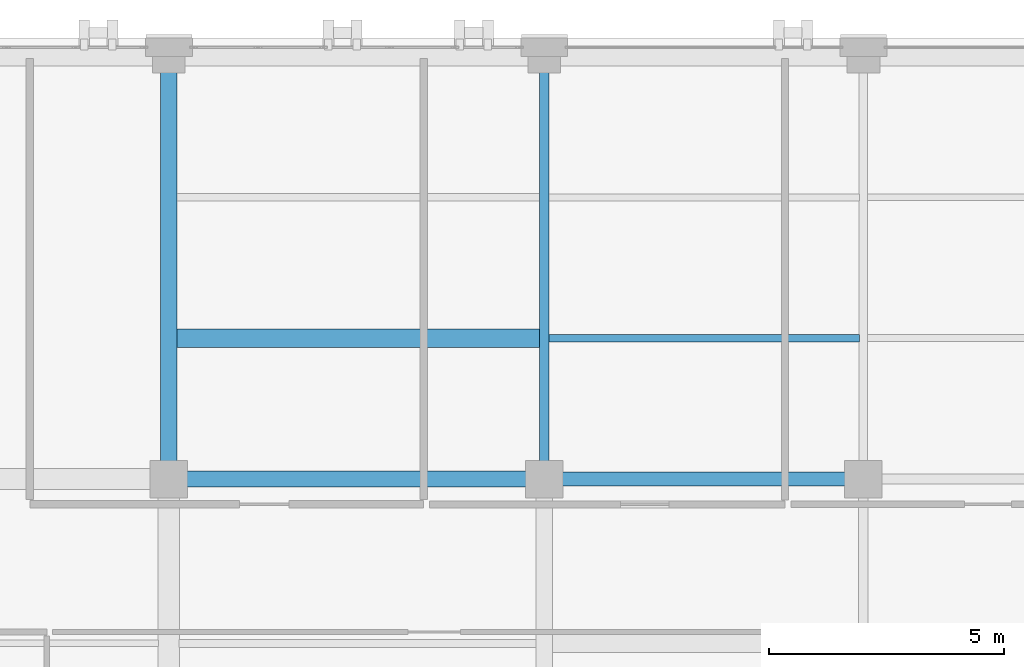
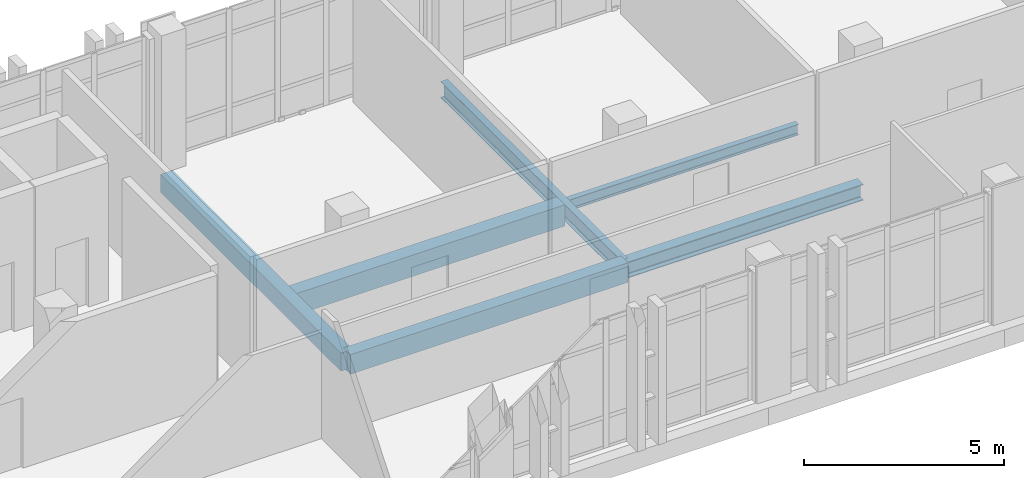
# One storey, part 91 of 158: 6 beams.
"""IFC4 building model written with IfcOpenShell, lengths in metres."""

from ifc_helpers import new_model, si_unit, direction, frame, origin, origin_2d, place, context, subcontext, project, spatial, rectangle, i_section, extrude, material, material_profile, profile_set, type_object, element, save


model = new_model("IFC4")

# Units and contexts
model_context = context("Model", 3, precision=1e-05, world=origin(), true_north=direction((0.0, 1.0)))
body_context = subcontext(model_context, "Body", "Model", "MODEL_VIEW")
ifc_project = project(units=[si_unit("LENGTHUNIT", "METRE"), si_unit("AREAUNIT", "SQUARE_METRE"), si_unit("VOLUMEUNIT", "CUBIC_METRE"), si_unit("PLANEANGLEUNIT", "RADIAN"), si_unit("MASSUNIT", "GRAM", prefix="KILO")], contexts=[model_context])

# Site, building, storey
site_placement = place(None, origin())
site = spatial("IfcSite", under=ifc_project, at=site_placement, CompositionType="ELEMENT")
building_placement = place(site_placement, origin())
building = spatial("IfcBuilding", under=site, at=building_placement, Name="Qalavern Law Courts", CompositionType="ELEMENT")
storey_placement = place(building_placement, frame((0.0, 0.0, 18.60009765625)))
storey = spatial("IfcBuildingStorey", under=building, at=storey_placement, Name="L04", CompositionType="ELEMENT", Elevation=18.60009765625)

# Beams
ifc_material_1 = material(Name="Steel S355", Category="steel")
ifc_material_profile_1 = material_profile(ifc_material_1, i_section(OverallWidth=0.300048828125, OverallDepth=0.489990234375, WebThickness=0.011962890625, FlangeThickness=0.02294921875, FilletRadius=0.027099609375, at=origin_2d()), Name="HEA 500")
ifc_profile_set_1 = profile_set([ifc_material_profile_1], Name="Steel S355")
beam_type_1 = type_object("IfcBeamType", Name="STR-BM-HEA500", PredefinedType="BEAM", material=ifc_profile_set_1)
beam_1_placement = place(storey_placement, frame((44.800048828125, 103.60009765625, -0.525146484375), z_axis=(1.0, 0.0, 0.0), x_axis=(0.0, 1.0, 0.0)))
element("IfcBeam", 1, at=beam_1_placement, inside=storey, type_object=beam_type_1, Name="V5 X-beam 2-6 L04", PredefinedType="BEAM", context=body_context, shape_type="SweptSolid", body=[
    extrude(i_section(OverallWidth=0.300048828125, OverallDepth=0.489990234375, WebThickness=0.011962890625, FlangeThickness=0.02294921875, FilletRadius=0.027099609375, at=origin_2d()), origin(), (0.0, 0.0, 1.0), 6.800048828125),
])
ifc_material_profile_2 = material_profile(ifc_material_1, i_section(OverallWidth=0.199951171875, OverallDepth=0.5, WebThickness=0.01025390625, FlangeThickness=0.01611328125, FilletRadius=0.02099609375, at=origin_2d()), Name="IPE 500")
ifc_profile_set_2 = profile_set([ifc_material_profile_2], Name="Steel S355")
beam_type_2 = type_object("IfcBeamType", Name="STR-BM-IPE500", PredefinedType="BEAM", material=ifc_profile_set_2)
beam_2_placement = place(storey_placement, frame((44.800048828125, 103.60009765625, -0.530029296875), z_axis=(0.0, 1.0, 0.0), x_axis=(-1.0, 0.0, 0.0)))
element("IfcBeam", 2, at=beam_2_placement, inside=storey, type_object=beam_type_2, Name="V5 Y-beam 6-2 L04", PredefinedType="BEAM", context=body_context, shape_type="SweptSolid", body=[
    extrude(i_section(OverallWidth=0.199951171875, OverallDepth=0.5, WebThickness=0.01025390625, FlangeThickness=0.01611328125, FilletRadius=0.02099609375, at=origin_2d()), origin(), (0.0, 0.0, 1.0), 9.0),
])
ifc_material_2 = material(Name="Concrete C35/45", Category="concrete")
ifc_material_profile_3 = material_profile(ifc_material_2, rectangle(XDim=0.35009765625, YDim=0.550048828125, at=origin_2d()), Name="RC 350x550")
ifc_profile_set_3 = profile_set([ifc_material_profile_3], Name="Concrete C35/45")
beam_type_3 = type_object("IfcBeamType", Name="STR-BM-RC350x550", PredefinedType="BEAM", material=ifc_profile_set_3)
beam_3_placement = place(storey_placement, frame((36.800048828125, 103.60009765625, -0.55517578125), z_axis=(0.0, 1.0, 0.0), x_axis=(-1.0, 0.0, 0.0)))
element("IfcBeam", 3, at=beam_3_placement, inside=storey, type_object=beam_type_3, Name="V5 Y-beam 5-2 L04", PredefinedType="BEAM", context=body_context, shape_type="SweptSolid", body=[
    extrude(rectangle(XDim=0.35009765625, YDim=0.550048828125, at=origin_2d()), origin(), (0.0, 0.0, 1.0), 9.0),
])
ifc_material_profile_4 = material_profile(ifc_material_2, rectangle(XDim=0.35009765625, YDim=0.60009765625, at=origin_2d()), Name="RC 350x600")
ifc_profile_set_4 = profile_set([ifc_material_profile_4], Name="Concrete C35/45")
beam_type_4 = type_object("IfcBeamType", Name="STR-BM-RC350x600", PredefinedType="BEAM", material=ifc_profile_set_4)
beam_4_placement = place(storey_placement, frame((36.800048828125, 103.60009765625, -0.580078125), z_axis=(1.0, 0.0, 0.0), x_axis=(0.0, 1.0, 0.0)))
element("IfcBeam", 4, at=beam_4_placement, inside=storey, type_object=beam_type_4, Name="V5 X-beam 2-5 L04", PredefinedType="BEAM", context=body_context, shape_type="SweptSolid", body=[
    extrude(rectangle(XDim=0.35009765625, YDim=0.60009765625, at=origin_2d()), origin(), (0.0, 0.0, 1.0), 8.0),
])
ifc_material_profile_5 = material_profile(ifc_material_1, i_section(OverallWidth=0.159912109375, OverallDepth=0.330078125, WebThickness=0.007568359375, FlangeThickness=0.011474609375, FilletRadius=0.01806640625, at=origin_2d()), Name="IPE 330")
ifc_profile_set_5 = profile_set([ifc_material_profile_5], Name="Steel S355")
beam_type_5 = type_object("IfcBeamType", Name="STR-JST-IPE330", PredefinedType="JOIST", material=ifc_profile_set_5)
beam_5_placement = place(storey_placement, frame((44.89794921875, 106.60009765625, -0.445068359375), z_axis=(1.0, 0.0, 0.0), x_axis=(0.0, 1.0, 0.0)))
element("IfcBeam", 5, at=beam_5_placement, inside=storey, type_object=beam_type_5, Name="V5 secondary joist 6.2.1 L04", PredefinedType="JOIST", context=body_context, shape_type="SweptSolid", body=[
    extrude(i_section(OverallWidth=0.159912109375, OverallDepth=0.330078125, WebThickness=0.007568359375, FlangeThickness=0.011474609375, FilletRadius=0.01806640625, at=origin_2d()), origin(), (0.0, 0.0, 1.0), 6.614013671875),
])
ifc_material_profile_6 = material_profile(ifc_material_2, rectangle(XDim=0.39990234375, YDim=0.64990234375, at=origin_2d()), Name="RC 400x650")
ifc_profile_set_6 = profile_set([ifc_material_profile_6], Name="Concrete C35/45")
beam_type_6 = type_object("IfcBeamType", Name="STR-JST-RC400x650", PredefinedType="JOIST", material=ifc_profile_set_6)
beam_6_placement = place(storey_placement, frame((36.972900390625, 106.60009765625, -0.60498046875), z_axis=(1.0, 0.0, 0.0), x_axis=(0.0, 1.0, 0.0)))
element("IfcBeam", 6, at=beam_6_placement, inside=storey, type_object=beam_type_6, Name="V5 secondary joist 5.2.1 L04", PredefinedType="JOIST", context=body_context, shape_type="SweptSolid", body=[
    extrude(rectangle(XDim=0.39990234375, YDim=0.64990234375, at=origin_2d()), origin(), (0.0, 0.0, 1.0), 7.72900390625),
])

save(model, "model.ifc")
